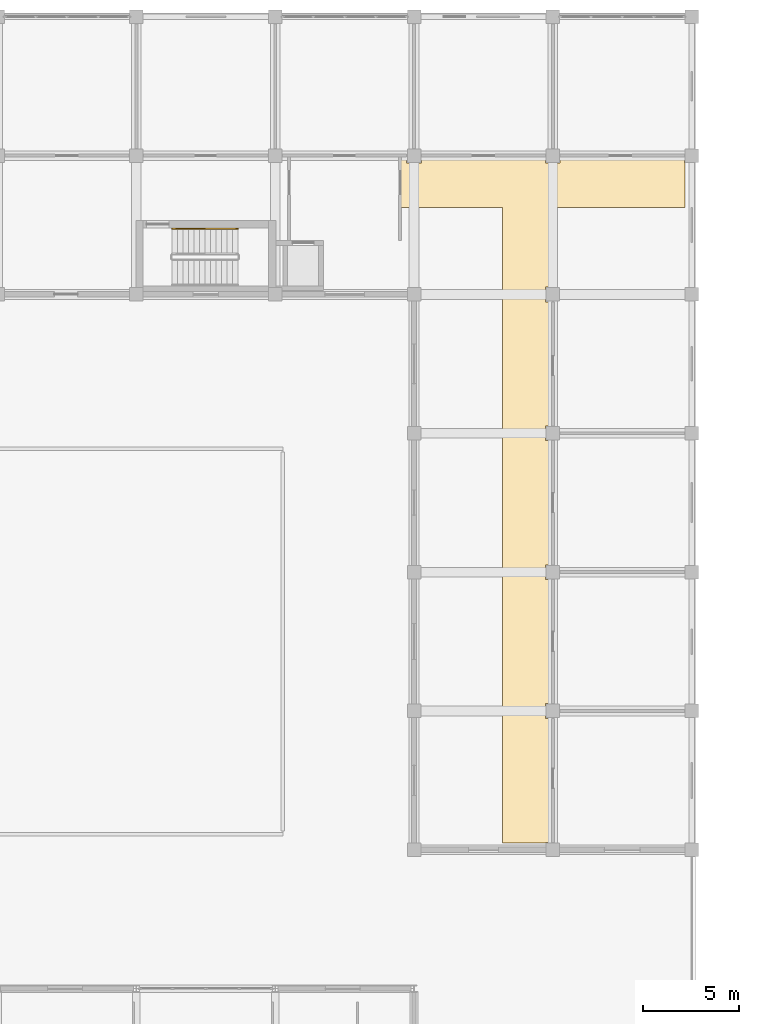
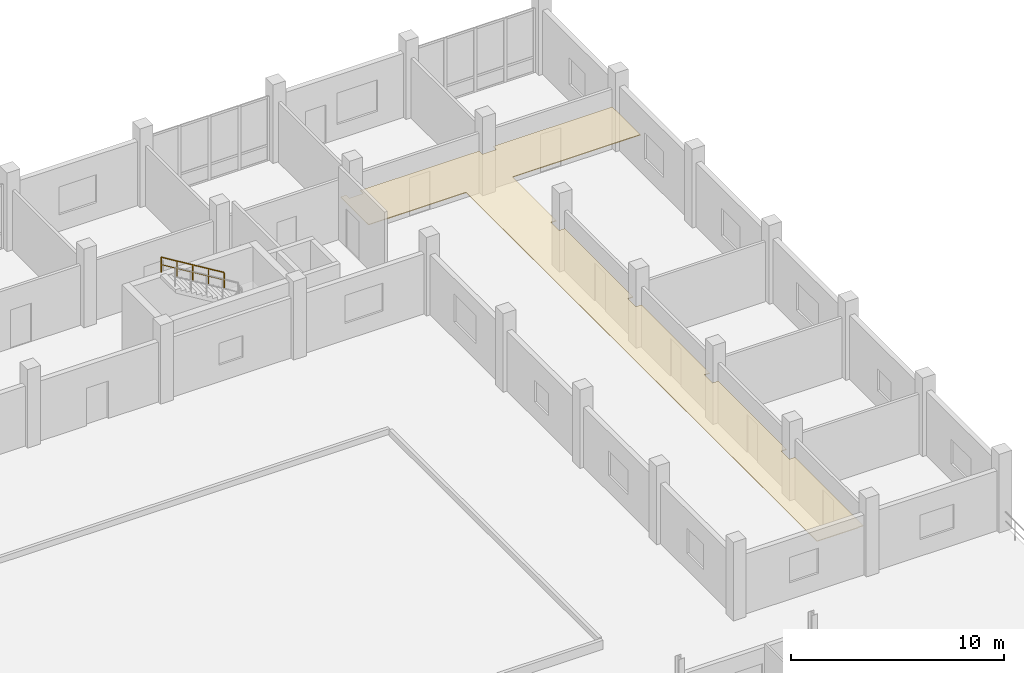
# One storey, part 138 of 139: 1 covering, 1 railing.
"""IFC4 building model written with IfcOpenShell, lengths in metres."""

from ifc_helpers import new_model, si_unit, direction, frame, origin, origin_2d, place, context, subcontext, project, spatial, polyline, rectangle, outline, extrude, material, layer, layer_set, type_object, element, save


model = new_model("IFC4")

# Units and contexts
model_context = context("Model", 3, precision=1e-05, world=origin(), true_north=direction((0.0, 1.0)))
body_context = subcontext(model_context, "Body", "Model", "MODEL_VIEW")
ifc_project = project(units=[si_unit("LENGTHUNIT", "METRE"), si_unit("AREAUNIT", "SQUARE_METRE"), si_unit("VOLUMEUNIT", "CUBIC_METRE"), si_unit("PLANEANGLEUNIT", "RADIAN"), si_unit("MASSUNIT", "GRAM", prefix="KILO")], contexts=[model_context])

# Site, building, storey
site_placement = place(None, origin())
site = spatial("IfcSite", under=ifc_project, at=site_placement, CompositionType="ELEMENT")
building_placement = place(site_placement, origin())
building = spatial("IfcBuilding", under=site, at=building_placement, Name="Suanplinth Sawtooth Commons", CompositionType="ELEMENT")
storey_placement = place(building_placement, origin())
storey = spatial("IfcBuildingStorey", under=building, at=storey_placement, Name="L00", CompositionType="ELEMENT", Elevation=0.0)

# Covering
ifc_material_1 = material(Name="Mineral fibre acoustic tile")
ifc_layer = layer(ifc_material_1, 0.0400390625, Name="Perforated mineral-fibre acoustic suspended ceiling")
ifc_layer_set = layer_set([ifc_layer], Name="Mineral fibre acoustic tile")
covering_type = type_object("IfcCoveringType", Name="CV-CE01", PredefinedType="CEILING", material=ifc_layer_set)
covering_placement = place(storey_placement, frame((0.0, 0.0, 2.3798828125)))
element("IfcCovering", 1, at=covering_placement, inside=storey, type_object=covering_type, Name="L00 Block B Corridor Acoustic Ceiling", PredefinedType="CEILING", context=body_context, shape_type="SweptSolid", body=[
    extrude(outline(polyline([(172.419921875, 115.1201171875), (172.419921875, 114.820068359375), (173.179931640625, 114.820068359375), (173.179931640625, 115.1201171875), (179.6201171875, 115.1201171875), (179.6201171875, 114.820068359375), (180.3798828125, 114.820068359375), (180.3798828125, 115.1201171875), (186.820068359375, 115.1201171875), (186.820068359375, 114.820068359375), (186.840087890625, 114.820068359375), (186.840087890625, 112.5), (179.919921875, 112.5), (179.919921875, 108.3798828125), (179.6201171875, 108.3798828125), (179.6201171875, 107.6201171875), (179.919921875, 107.6201171875), (179.919921875, 101.179931640625), (179.6201171875, 101.179931640625), (179.6201171875, 100.419921875), (179.919921875, 100.419921875), (179.919921875, 93.97998046875), (179.6201171875, 93.97998046875), (179.6201171875, 93.219970703125), (179.919921875, 93.219970703125), (179.919921875, 86.780029296875), (179.6201171875, 86.780029296875), (179.6201171875, 86.02001953125), (179.919921875, 86.02001953125), (179.919921875, 79.580078125), (179.6201171875, 79.580078125), (179.6201171875, 79.56005859375), (177.39990234375, 79.56005859375), (177.39990234375, 112.5), (172.1201171875, 112.5), (172.1201171875, 115.1201171875), (172.419921875, 115.1201171875)])), origin(), (0.0, 0.0, 1.0), 0.0400390625),
])

# Railing
ifc_material_2 = material(Name="Stainless steel Grade 304", Category="steel")
railing_type = type_object("IfcRailingType", Name="HR-01", PredefinedType="HANDRAIL", material=ifc_material_2)
railing_placement = place(storey_placement, frame((163.669921875, 111.39990234375, 2.423095703125)))
element("IfcRailing", 2, at=railing_placement, inside=storey, type_object=railing_type, Name="L00 ST-E2 Handrail 2", PredefinedType="HANDRAIL", context=body_context, shape_type="SweptSolid", body=[
    extrude(rectangle(XDim=0.048095703125, YDim=0.048095703125, at=origin_2d()), frame((0.0, 0.0, 0.8759765625), z_axis=(-0.854729506542, 0.0, 0.519073665916), x_axis=(0.0, -1.0, 0.0)), (0.0, 0.0, 1.0), 4.001220703125),
    extrude(rectangle(XDim=0.03369140625, YDim=0.03369140625, at=origin_2d()), frame((0.0, 0.0, 0.449951171875), z_axis=(-0.854729506542, 0.0, 0.519073665916), x_axis=(0.0, -1.0, 0.0)), (0.0, 0.0, 1.0), 4.001220703125),
    extrude(rectangle(XDim=0.0419921875, YDim=0.0419921875, at=origin_2d()), origin(), (0.0, 0.0, 1.0), 0.851806640625),
    extrude(rectangle(XDim=0.0419921875, YDim=0.0419921875, at=origin_2d()), frame((-0.85498046875, 0.0, 0.519287109375)), (0.0, 0.0, 1.0), 0.851806640625),
    extrude(rectangle(XDim=0.0419921875, YDim=0.0419921875, at=origin_2d()), frame((-1.7099609375, 0.0, 1.03857421875)), (0.0, 0.0, 1.0), 0.851806640625),
    extrude(rectangle(XDim=0.0419921875, YDim=0.0419921875, at=origin_2d()), frame((-2.56494140625, 0.0, 1.5576171875)), (0.0, 0.0, 1.0), 0.851806640625),
    extrude(rectangle(XDim=0.0419921875, YDim=0.0419921875, at=origin_2d()), frame((-3.419921875, 0.0, 2.076904296875)), (0.0, 0.0, 1.0), 0.851806640625),
])

save(model, "model.ifc")
